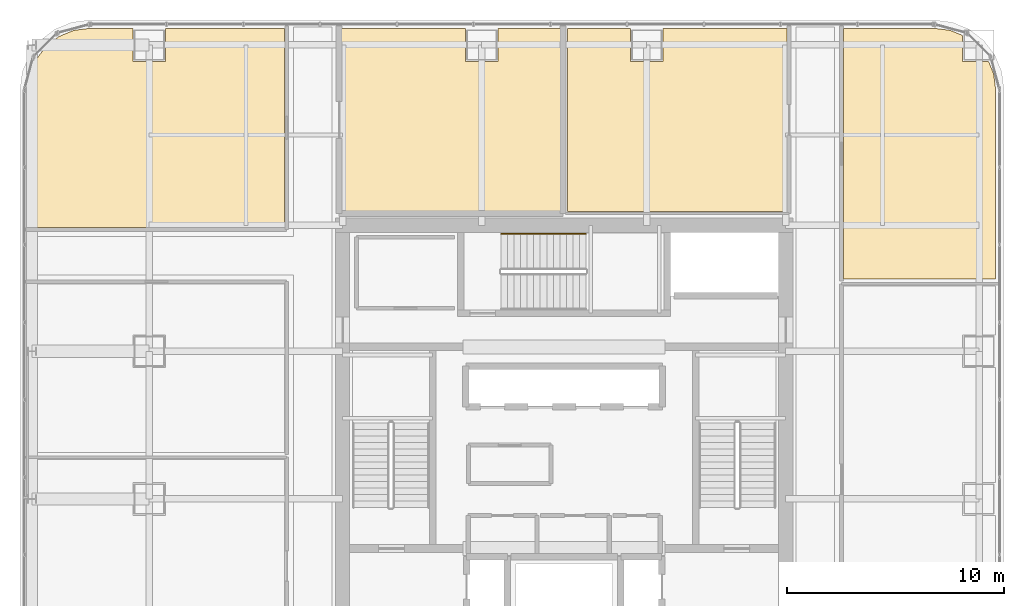
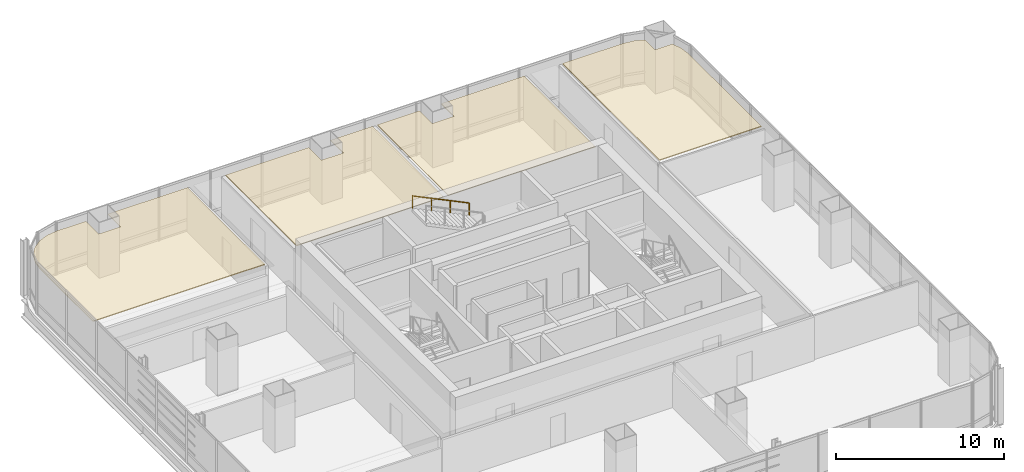
# One storey, part 36 of 36: 4 coverings, 1 railing.
"""IFC4 building model written with IfcOpenShell, lengths in metres."""

from ifc_helpers import new_model, si_unit, direction, frame, origin, origin_2d, place, context, subcontext, project, spatial, polyline, circle, outline, extrude, material, layer, layer_set, type_object, element, save


model = new_model("IFC4")

# Units and contexts
model_context = context("Model", 3, precision=1e-05, world=origin(), true_north=direction((0.0, 1.0)))
body_context = subcontext(model_context, "Body", "Model", "MODEL_VIEW")
ifc_project = project(units=[si_unit("LENGTHUNIT", "METRE"), si_unit("AREAUNIT", "SQUARE_METRE"), si_unit("VOLUMEUNIT", "CUBIC_METRE"), si_unit("PLANEANGLEUNIT", "RADIAN"), si_unit("MASSUNIT", "GRAM", prefix="KILO")], contexts=[model_context])

# Site, building, storey
site_placement = place(None, origin())
site = spatial("IfcSite", under=ifc_project, at=site_placement, CompositionType="ELEMENT")
building_placement = place(site_placement, origin())
building = spatial("IfcBuilding", under=site, at=building_placement, Name="Punatoya Terracotta Tower", CompositionType="ELEMENT")
storey_placement = place(building_placement, frame((0.0, 0.0, 176.25)))
storey = spatial("IfcBuildingStorey", under=building, at=storey_placement, Name="L41", CompositionType="ELEMENT", Elevation=176.25)

# Coverings
ifc_material_1 = material(Name="Acoustic Mineral Fibre Ceiling")
ifc_layer = layer(ifc_material_1, 0.06005859375)
ifc_layer_set = layer_set([ifc_layer], Name="Acoustic Mineral Fibre Ceiling")
covering_type = type_object("IfcCoveringType", Name="COV-CEIL-60", PredefinedType="CEILING", material=ifc_layer_set)
covering_1_placement = place(storey_placement, frame((0.0, 0.0, 3.219970703125)))
element("IfcCovering", 1, at=covering_1_placement, inside=storey, type_object=covering_type, Name="L41 Open-Plan Mindfulness Wellness Room Acoustic Ceiling", PredefinedType="CEILING", context=body_context, shape_type="SweptSolid", body=[
    extrude(outline(polyline([(12.8701171875, 18.27001953125), (12.8701171875, 6.722900390625), (19.8701171875, 6.722900390625), (19.8701171875, 15.425048828125), (19.770751953125, 16.178955078125), (19.5341796875, 16.75), (18.35009765625, 16.75), (18.35009765625, 17.934326171875), (17.779052734375, 18.1708984375), (17.025146484375, 18.27001953125), (12.8701171875, 18.27001953125)])), origin(), (0.0, 0.0, 1.0), 0.06005859375),
])
covering_2_placement = place(storey_placement, frame((0.0, 0.0, 3.219970703125)))
element("IfcCovering", 2, at=covering_2_placement, inside=storey, type_object=covering_type, Name="L41 Open-Plan Cultural Reading Library Acoustic Ceiling", PredefinedType="CEILING", context=body_context, shape_type="SweptSolid", body=[
    extrude(outline(polyline([(-24.57080078125, 16.178955078125), (-24.669921875, 15.425048828125), (-24.669921875, 9.10009765625), (-12.8701171875, 9.10009765625), (-12.8701171875, 18.27001953125), (-18.35009765625, 18.27001953125), (-18.35009765625, 16.75), (-19.85009765625, 16.75), (-19.85009765625, 18.27001953125), (-21.8251953125, 18.27001953125), (-22.5791015625, 18.1708984375), (-23.25830078125, 17.889404296875), (-23.841796875, 17.441650390625), (-24.289306640625, 16.8583984375), (-24.57080078125, 16.178955078125)])), origin(), (0.0, 0.0, 1.0), 0.06005859375),
])
covering_3_placement = place(storey_placement, frame((0.0, 0.0, 3.219970703125)))
element("IfcCovering", 3, at=covering_3_placement, inside=storey, type_object=covering_type, Name="L41 Open-Plan Fitness Movement Lounge Acoustic Ceiling", PredefinedType="CEILING", context=body_context, shape_type="SweptSolid", body=[
    extrude(outline(polyline([(-10.260009765625, 18.27001953125), (-10.260009765625, 9.840087890625), (-0.159912109375, 9.840087890625), (-0.159912109375, 18.27001953125), (-3.050048828125, 18.27001953125), (-3.050048828125, 16.75), (-4.550048828125, 16.75), (-4.550048828125, 18.27001953125), (-10.260009765625, 18.27001953125)])), origin(), (0.0, 0.0, 1.0), 0.06005859375),
])
covering_4_placement = place(storey_placement, frame((0.0, 0.0, 3.219970703125)))
element("IfcCovering", 4, at=covering_4_placement, inside=storey, type_object=covering_type, Name="L41 Open-Plan Seminar Discussion Room Acoustic Ceiling", PredefinedType="CEILING", context=body_context, shape_type="SweptSolid", body=[
    extrude(outline(polyline([(3.050048828125, 18.27001953125), (0.159912109375, 18.27001953125), (0.159912109375, 9.840087890625), (10.260009765625, 9.840087890625), (10.260009765625, 18.27001953125), (4.550048828125, 18.27001953125), (4.550048828125, 16.75), (3.050048828125, 16.75), (3.050048828125, 18.27001953125)])), origin(), (0.0, 0.0, 1.0), 0.06005859375),
])

# Railing
ifc_material_2 = material(Name="Steel S355", Category="steel")
railing_type = type_object("IfcRailingType", Name="RLG-HND-900", PredefinedType="HANDRAIL", material=ifc_material_2)
railing_placement = place(storey_placement, frame((1.0, 8.800048828125, 2.169677734375)))
element("IfcRailing", 5, at=railing_placement, inside=storey, type_object=railing_type, Name="L41 ST-3 stair handrail 2", PredefinedType="HANDRAIL", context=body_context, shape_type="SweptSolid", body=[
    extrude(circle(Radius=0.02392578125, at=origin_2d()), frame((0.0, 0.0, 0.8759765625), z_axis=(-0.900763166376, 0.0, 0.434310623978), x_axis=(0.0, -1.0, 0.0)), (0.0, 0.0, 1.0), 4.32958984375),
    extrude(circle(Radius=0.02099609375, at=origin_2d()), origin(), (0.0, 0.0, 1.0), 0.851806640625),
    extrude(circle(Radius=0.02099609375, at=origin_2d()), frame((-1.300048828125, 0.0, 0.626708984375)), (0.0, 0.0, 1.0), 0.851806640625),
    extrude(circle(Radius=0.02099609375, at=origin_2d()), frame((-2.599853515625, 0.0, 1.253662109375)), (0.0, 0.0, 1.0), 0.851806640625),
    extrude(circle(Radius=0.02099609375, at=origin_2d()), frame((-3.89990234375, 0.0, 1.88037109375)), (0.0, 0.0, 1.0), 0.851806640625),
])

save(model, "model.ifc")
